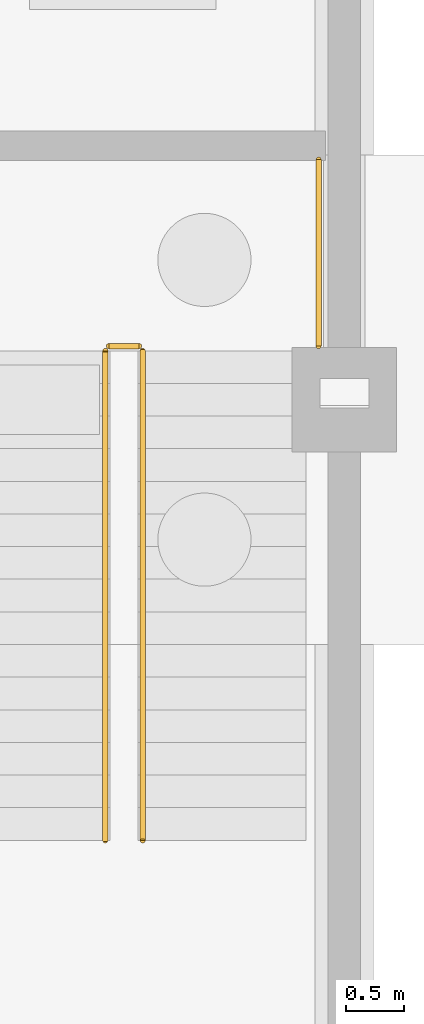
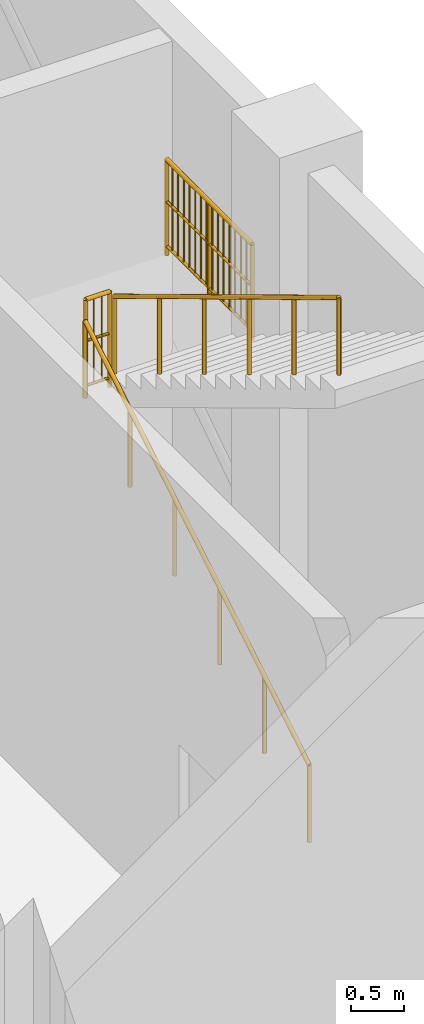
# One storey, part 34 of 35: 4 railings.
"""IFC4 building model written with IfcOpenShell, lengths in metres."""

from ifc_helpers import new_model, si_unit, direction, frame, origin, origin_2d, place, context, subcontext, project, spatial, circle, extrude, material, type_object, element, save


model = new_model("IFC4")

# Units and contexts
model_context = context("Model", 3, precision=1e-05, world=origin(), true_north=direction((0.0, 1.0)))
body_context = subcontext(model_context, "Body", "Model", "MODEL_VIEW")
ifc_project = project(units=[si_unit("LENGTHUNIT", "METRE"), si_unit("AREAUNIT", "SQUARE_METRE"), si_unit("VOLUMEUNIT", "CUBIC_METRE"), si_unit("PLANEANGLEUNIT", "RADIAN"), si_unit("MASSUNIT", "GRAM", prefix="KILO")], contexts=[model_context])

# Site, building, storey
site_placement = place(None, origin())
site = spatial("IfcSite", under=ifc_project, at=site_placement, CompositionType="ELEMENT")
building_placement = place(site_placement, origin())
building = spatial("IfcBuilding", under=site, at=building_placement, Name="Vesperath Aquatics Centre", CompositionType="ELEMENT")
storey_placement = place(building_placement, frame((0.0, 0.0, -5.39990234375)))
storey = spatial("IfcBuildingStorey", under=building, at=storey_placement, Name="B1", CompositionType="ELEMENT", Elevation=-5.39990234375)

# Railings
ifc_material_1 = material(Name="Powder-coated galvanized steel safety guard", Category="steel")
railing_type_1 = type_object("IfcRailingType", Name="RL-GRD01", PredefinedType="GUARDRAIL", material=ifc_material_1)
railing_1_placement = place(storey_placement, frame((170.780029296875, 86.860107421875, 2.699951171875)))
element("IfcRailing", 1, at=railing_1_placement, inside=storey, type_object=railing_type_1, Name="Stair ST4 Half-Landing Slot Guard GR02 B1", PredefinedType="GUARDRAIL", context=body_context, shape_type="SweptSolid", body=[
    extrude(circle(Radius=0.02392578125, at=origin_2d()), frame((0.0, 0.0, 1.0859375), z_axis=(1.0, 0.0, 0.0), x_axis=(0.0, 1.0, 0.0)), (0.0, 0.0, 1.0), 0.260009765625),
    extrude(circle(Radius=0.01611328125, at=origin_2d()), frame((0.0, 0.0, 0.10009765625), z_axis=(1.0, 0.0, 0.0), x_axis=(0.0, 1.0, 0.0)), (0.0, 0.0, 1.0), 0.260009765625),
    extrude(circle(Radius=0.01611328125, at=origin_2d()), frame((0.0, 0.0, 0.610595703125), z_axis=(1.0, 0.0, 0.0), x_axis=(0.0, 1.0, 0.0)), (0.0, 0.0, 1.0), 0.260009765625),
    extrude(circle(Radius=0.009033203125, at=origin_2d()), frame((0.086669921875, 0.0, 0.10009765625)), (0.0, 0.0, 1.0), 0.9619140625),
    extrude(circle(Radius=0.009033203125, at=origin_2d()), frame((0.17333984375, 0.0, 0.10009765625)), (0.0, 0.0, 1.0), 0.9619140625),
    extrude(circle(Radius=0.02197265625, at=origin_2d()), origin(), (0.0, 0.0, 1.0), 1.0859375),
    extrude(circle(Radius=0.02197265625, at=origin_2d()), frame((0.260009765625, 0.0, 0.0)), (0.0, 0.0, 1.0), 1.0859375),
])
railing_2_placement = place(storey_placement, frame((172.580078125, 86.860107421875, 2.699951171875)))
element("IfcRailing", 2, at=railing_2_placement, inside=storey, type_object=railing_type_1, Name="Stair ST4 Half-Landing Wall Guard GR02 B1", PredefinedType="GUARDRAIL", context=body_context, shape_type="SweptSolid", body=[
    extrude(circle(Radius=0.02392578125, at=origin_2d()), frame((0.0, 0.0, 1.0859375), z_axis=(0.0, 1.0, 0.0), x_axis=(-1.0, 0.0, 0.0)), (0.0, 0.0, 1.0), 1.599853515625),
    extrude(circle(Radius=0.01611328125, at=origin_2d()), frame((0.0, 0.0, 0.10009765625), z_axis=(0.0, 1.0, 0.0), x_axis=(-1.0, 0.0, 0.0)), (0.0, 0.0, 1.0), 1.599853515625),
    extrude(circle(Radius=0.01611328125, at=origin_2d()), frame((0.0, 0.0, 0.610595703125), z_axis=(0.0, 1.0, 0.0), x_axis=(-1.0, 0.0, 0.0)), (0.0, 0.0, 1.0), 1.599853515625),
    extrude(circle(Radius=0.009033203125, at=origin_2d()), frame((0.0, 0.106689453125, 0.10009765625)), (0.0, 0.0, 1.0), 0.9619140625),
    extrude(circle(Radius=0.009033203125, at=origin_2d()), frame((0.0, 0.21337890625, 0.10009765625)), (0.0, 0.0, 1.0), 0.9619140625),
    extrude(circle(Radius=0.009033203125, at=origin_2d()), frame((0.0, 0.320068359375, 0.10009765625)), (0.0, 0.0, 1.0), 0.9619140625),
    extrude(circle(Radius=0.009033203125, at=origin_2d()), frame((0.0, 0.426513671875, 0.10009765625)), (0.0, 0.0, 1.0), 0.9619140625),
    extrude(circle(Radius=0.009033203125, at=origin_2d()), frame((0.0, 0.533203125, 0.10009765625)), (0.0, 0.0, 1.0), 0.9619140625),
    extrude(circle(Radius=0.009033203125, at=origin_2d()), frame((0.0, 0.639892578125, 0.10009765625)), (0.0, 0.0, 1.0), 0.9619140625),
    extrude(circle(Radius=0.009033203125, at=origin_2d()), frame((0.0, 0.74658203125, 0.10009765625)), (0.0, 0.0, 1.0), 0.9619140625),
    extrude(circle(Radius=0.009033203125, at=origin_2d()), frame((0.0, 0.853271484375, 0.10009765625)), (0.0, 0.0, 1.0), 0.9619140625),
    extrude(circle(Radius=0.009033203125, at=origin_2d()), frame((0.0, 0.9599609375, 0.10009765625)), (0.0, 0.0, 1.0), 0.9619140625),
    extrude(circle(Radius=0.009033203125, at=origin_2d()), frame((0.0, 1.066650390625, 0.10009765625)), (0.0, 0.0, 1.0), 0.9619140625),
    extrude(circle(Radius=0.009033203125, at=origin_2d()), frame((0.0, 1.17333984375, 0.10009765625)), (0.0, 0.0, 1.0), 0.9619140625),
    extrude(circle(Radius=0.009033203125, at=origin_2d()), frame((0.0, 1.27978515625, 0.10009765625)), (0.0, 0.0, 1.0), 0.9619140625),
    extrude(circle(Radius=0.009033203125, at=origin_2d()), frame((0.0, 1.386474609375, 0.10009765625)), (0.0, 0.0, 1.0), 0.9619140625),
    extrude(circle(Radius=0.009033203125, at=origin_2d()), frame((0.0, 1.4931640625, 0.10009765625)), (0.0, 0.0, 1.0), 0.9619140625),
    extrude(circle(Radius=0.02197265625, at=origin_2d()), origin(), (0.0, 0.0, 1.0), 1.0859375),
    extrude(circle(Radius=0.02197265625, at=origin_2d()), frame((0.0, 0.7998046875, 0.0)), (0.0, 0.0, 1.0), 1.0859375),
    extrude(circle(Radius=0.02197265625, at=origin_2d()), frame((0.0, 1.599853515625, 0.0)), (0.0, 0.0, 1.0), 1.0859375),
])
ifc_material_2 = material(Name="Brushed stainless steel tubular handrail", Category="steel")
railing_type_2 = type_object("IfcRailingType", Name="RL-HND01", PredefinedType="HANDRAIL", material=ifc_material_2)
railing_3_placement = place(storey_placement, frame((170.75, 82.6201171875, 0.168701171875)))
element("IfcRailing", 3, at=railing_3_placement, inside=storey, type_object=railing_type_2, Name="Stair ST4 Flight 1 Handrail HR01 B1", PredefinedType="HANDRAIL", context=body_context, shape_type="SweptSolid", body=[
    extrude(circle(Radius=0.02392578125, at=origin_2d()), frame((0.0, 0.0, 0.8759765625), z_axis=(0.0, 0.856476492594, 0.516186030065), x_axis=(-1.0, 0.0, 0.0)), (0.0, 0.0, 1.0), 4.90380859375),
    extrude(circle(Radius=0.02197265625, at=origin_2d()), origin(), (0.0, 0.0, 1.0), 0.8759765625),
    extrude(circle(Radius=0.02197265625, at=origin_2d()), frame((0.0, 0.840087890625, 0.50634765625)), (0.0, 0.0, 1.0), 0.8759765625),
    extrude(circle(Radius=0.02197265625, at=origin_2d()), frame((0.0, 1.679931640625, 1.012451171875)), (0.0, 0.0, 1.0), 0.8759765625),
    extrude(circle(Radius=0.02197265625, at=origin_2d()), frame((0.0, 2.52001953125, 1.518798828125)), (0.0, 0.0, 1.0), 0.8759765625),
    extrude(circle(Radius=0.02197265625, at=origin_2d()), frame((0.0, 3.35986328125, 2.02490234375)), (0.0, 0.0, 1.0), 0.8759765625),
    extrude(circle(Radius=0.02197265625, at=origin_2d()), frame((0.0, 4.199951171875, 2.53125)), (0.0, 0.0, 1.0), 0.8759765625),
])
railing_4_placement = place(storey_placement, frame((171.070068359375, 86.820068359375, 2.86865234375)))
element("IfcRailing", 4, at=railing_4_placement, inside=storey, type_object=railing_type_2, Name="Stair ST4 Flight 2 Handrail HR01 B1", PredefinedType="HANDRAIL", context=body_context, shape_type="SweptSolid", body=[
    extrude(circle(Radius=0.02392578125, at=origin_2d()), frame((0.0, 0.0, 0.8759765625), z_axis=(0.0, -0.856476492594, 0.516186030065), x_axis=(1.0, 0.0, 0.0)), (0.0, 0.0, 1.0), 4.90380859375),
    extrude(circle(Radius=0.02197265625, at=origin_2d()), origin(), (0.0, 0.0, 1.0), 0.8759765625),
    extrude(circle(Radius=0.02197265625, at=origin_2d()), frame((0.0, -0.840087890625, 0.50634765625)), (0.0, 0.0, 1.0), 0.8759765625),
    extrude(circle(Radius=0.02197265625, at=origin_2d()), frame((0.0, -1.679931640625, 1.012451171875)), (0.0, 0.0, 1.0), 0.8759765625),
    extrude(circle(Radius=0.02197265625, at=origin_2d()), frame((0.0, -2.52001953125, 1.518798828125)), (0.0, 0.0, 1.0), 0.8759765625),
    extrude(circle(Radius=0.02197265625, at=origin_2d()), frame((0.0, -3.35986328125, 2.02490234375)), (0.0, 0.0, 1.0), 0.8759765625),
    extrude(circle(Radius=0.02197265625, at=origin_2d()), frame((0.0, -4.199951171875, 2.53125)), (0.0, 0.0, 1.0), 0.8759765625),
])

save(model, "model.ifc")
